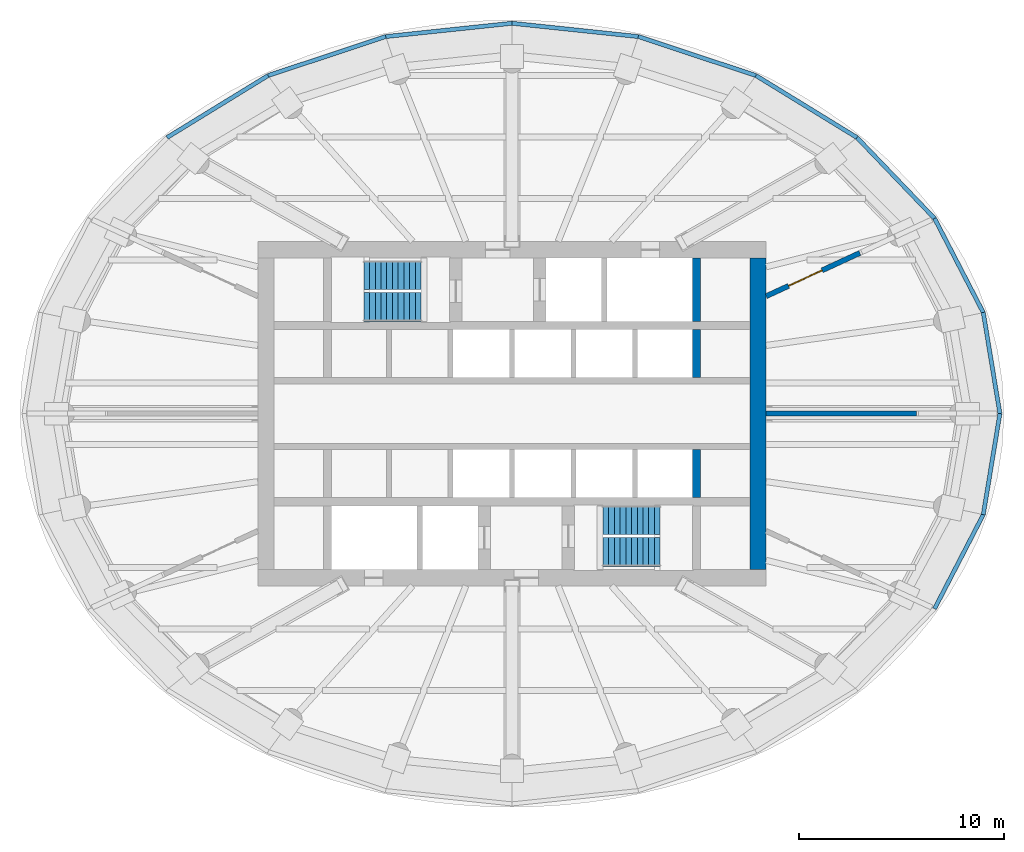
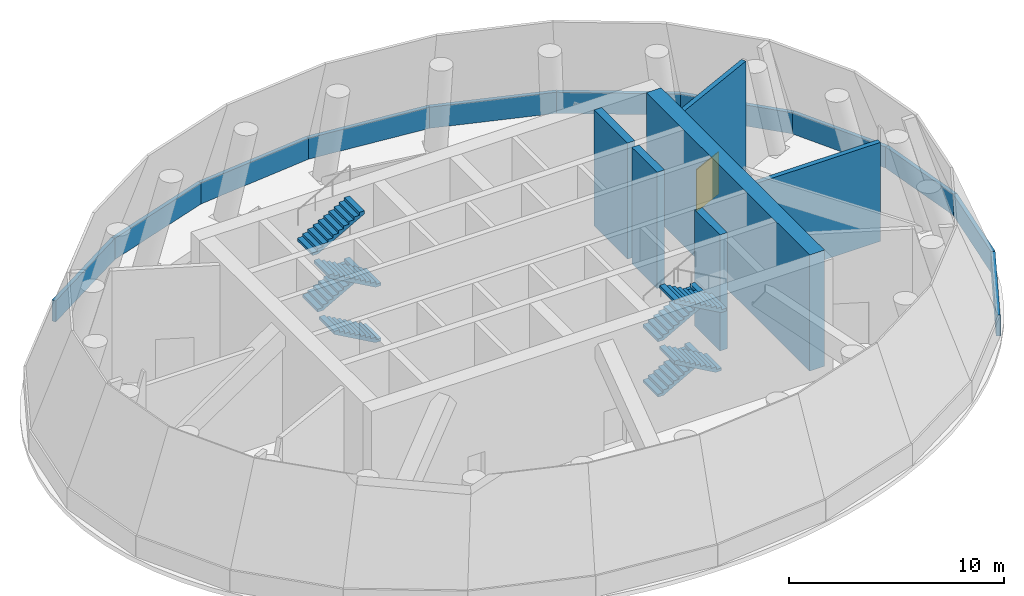
# One storey, part 5 of 6: 17 walls, 8 stair flights, 1 door, 1 opening, 2 elements without a shape of their own.
"""IFC4 building model written with IfcOpenShell, lengths in metres."""

from ifc_helpers import new_model, si_unit, direction, frame, frame_2d, origin, place, context, subcontext, project, spatial, polyline, rectangle, outline, extrude, material, layer, layer_set, type_object, element, fill, aggregate, save


model = new_model("IFC4")

# Units and contexts
model_context = context("Model", 3, precision=1e-05, world=origin(), true_north=direction((0.0, 1.0)))
body_context = subcontext(model_context, "Body", "Model", "MODEL_VIEW")
ifc_project = project(units=[si_unit("LENGTHUNIT", "METRE"), si_unit("AREAUNIT", "SQUARE_METRE"), si_unit("VOLUMEUNIT", "CUBIC_METRE"), si_unit("PLANEANGLEUNIT", "RADIAN"), si_unit("MASSUNIT", "GRAM", prefix="KILO")], contexts=[model_context])

# Site, building, storey
site_placement = place(None, origin())
site = spatial("IfcSite", under=ifc_project, at=site_placement, CompositionType="ELEMENT")
building_placement = place(site_placement, origin())
building = spatial("IfcBuilding", under=site, at=building_placement, Name="Hankou Lantern Tower", CompositionType="ELEMENT")
storey_placement = place(building_placement, frame((0.0, 0.0, 186.300048828125)))
storey = spatial("IfcBuildingStorey", under=building, at=storey_placement, Name="L50", CompositionType="ELEMENT", Elevation=186.300048828125)

# Walls
ifc_material_1 = material(Name="Concrete C60", Category="concrete")
ifc_layer_1 = layer(ifc_material_1, 0.800048828125)
ifc_layer_set_1 = layer_set([ifc_layer_1], Name="Concrete C60")
wall_type_1 = type_object("IfcWallType", Name="CW2 CORE WALL 800", PredefinedType="SHEAR", material=ifc_layer_set_1)
wall_1_placement = place(storey_placement, frame((12.0, -7.60009765625, 0.0), z_axis=(0.0, 0.0, 1.0), x_axis=(0.0, 1.0, 0.0)))
element("IfcWall", 1, at=wall_1_placement, inside=storey, type_object=wall_type_1, Name="Core wall east L50", PredefinedType="SHEAR", context=body_context, shape_type="SweptSolid", body=[
    extrude(rectangle(XDim=15.2001953125, YDim=0.800048828125, at=frame_2d((7.60009765625, 0.0))), origin(), (0.0, 0.0, 1.0), 6.599853515625),
])
ifc_material_2 = material(Name="Concrete C60", Category="concrete")
ifc_layer_2 = layer(ifc_material_2, 0.39990234375)
ifc_layer_set_2 = layer_set([ifc_layer_2], Name="Concrete C60")
wall_type_2 = type_object("IfcWallType", Name="CW4 CORE CROSS WALL 400", PredefinedType="SHEAR", material=ifc_layer_set_2)
wall_2_placement = place(storey_placement, frame((9.0, 4.5, 0.0), z_axis=(0.0, 0.0, 1.0), x_axis=(0.0, 1.0, 0.0)))
element("IfcWall", 2, at=wall_2_placement, inside=storey, type_object=wall_type_2, Name="Core strip wall L50", PredefinedType="SHEAR", context=body_context, shape_type="SweptSolid", body=[
    extrude(rectangle(XDim=3.10009765625, YDim=0.39990234375, at=frame_2d((1.550048828125, 0.0))), origin(), (0.0, 0.0, 1.0), 6.599853515625),
])
for number, where, z_axis, x_axis, name in (
    (3, (9.0, 1.75, 0.0), (0.0, 0.0, 1.0), (0.0, 1.0, 0.0), "Core strip wall L50"),
    (4, (9.0, -4.10009765625, 0.0), (0.0, 0.0, 1.0), (0.0, 1.0, 0.0), "Core strip wall L50"),
):
    element("IfcWall", number, at=place(storey_placement, frame(where, z_axis=z_axis, x_axis=x_axis)), inside=storey, type_object=wall_type_2, Name=name, PredefinedType="SHEAR", context=body_context, shape_type="SweptSolid", body=[
        extrude(rectangle(XDim=2.35009765625, YDim=0.39990234375, at=frame_2d((1.175048828125, 0.0))), origin(), (0.0, 0.0, 1.0), 6.599853515625),
    ])
ifc_material_3 = material(Name="Precast concrete C40 spandrel", Category="concrete")
ifc_layer_3 = layer(ifc_material_3, 0.199951171875)
ifc_layer_set_3 = layer_set([ifc_layer_3], Name="Precast concrete C40 spandrel")
wall_type_3 = type_object("IfcWallType", Name="EW3 SPANDREL WALL 200", PredefinedType="PARAPET", material=ifc_layer_set_3)
wall_3_placement = place(storey_placement, frame((23.800048828125, 0.0, 0.0), z_axis=(0.0, 0.0, 1.0), x_axis=(-0.162393077001, 0.98672614668, 0.0)))
element("IfcWall", 5, at=wall_3_placement, inside=storey, type_object=wall_type_3, Name="Spandrel wall R01 L50", PredefinedType="PARAPET", context=body_context, shape_type="SweptSolid", body=[
    extrude(rectangle(XDim=4.994384765625, YDim=0.199951171875, at=frame_2d((2.4970703125, 0.0))), origin(), (0.0, 0.0, 1.0), 1.199951171875),
])
wall_4_placement = place(storey_placement, frame((22.989013671875, 4.927978515625, 0.0), z_axis=(0.0, 0.0, 1.0), x_axis=(-0.459803057425, 0.888020916636, 0.0)))
element("IfcWall", 6, at=wall_4_placement, inside=storey, type_object=wall_type_3, Name="Spandrel wall R02 L50", PredefinedType="PARAPET", context=body_context, shape_type="SweptSolid", body=[
    extrude(rectangle(XDim=5.171142578125, YDim=0.199951171875, at=frame_2d((2.58544921875, 0.0))), origin(), (0.0, 0.0, 1.0), 1.199951171875),
])
wall_5_placement = place(storey_placement, frame((20.611328125, 9.52001953125, 0.0), z_axis=(0.0, 0.0, 1.0), x_axis=(-0.692208086263, 0.721697973749, 0.0)))
element("IfcWall", 7, at=wall_5_placement, inside=storey, type_object=wall_type_3, Name="Spandrel wall R03 L50", PredefinedType="PARAPET", context=body_context, shape_type="SweptSolid", body=[
    extrude(rectangle(XDim=5.464111328125, YDim=0.199951171875, at=frame_2d((2.73193359375, 0.0))), origin(), (0.0, 0.0, 1.0), 1.199951171875),
])
wall_6_placement = place(storey_placement, frame((16.8291015625, 13.46337890625, 0.0), z_axis=(0.0, 0.0, 1.0), x_axis=(-0.852253440193, 0.523129117598, 0.0)))
element("IfcWall", 8, at=wall_6_placement, inside=storey, type_object=wall_type_3, Name="Spandrel wall R04 L50", PredefinedType="PARAPET", context=body_context, shape_type="SweptSolid", body=[
    extrude(rectangle(XDim=5.78369140625, YDim=0.199951171875, at=frame_2d((2.891845703125, 0.0))), origin(), (0.0, 0.0, 1.0), 1.199951171875),
])
wall_7_placement = place(storey_placement, frame((11.89990234375, 16.489013671875, 0.0), z_axis=(0.0, 0.0, 1.0), x_axis=(-0.949238990188, 0.314555781232, 0.0)))
element("IfcWall", 9, at=wall_7_placement, inside=storey, type_object=wall_type_3, Name="Spandrel wall R05 L50", PredefinedType="PARAPET", context=body_context, shape_type="SweptSolid", body=[
    extrude(rectangle(XDim=6.046875, YDim=0.199951171875, at=frame_2d((3.0234375, 0.0))), origin(), (0.0, 0.0, 1.0), 1.199951171875),
])
for number, where, z_axis, x_axis, name in (
    (10, (6.159912109375, 18.39111328125, 0.0), (0.0, 0.0, 1.0), (-0.994496810484, 0.104766855149, 0.0), "Spandrel wall R06 L50"),
    (11, (0.0, 19.0400390625, 0.0), (0.0, 0.0, 1.0), (-0.994496810484, -0.104766855149, 0.0), "Spandrel wall R07 L50"),
):
    element("IfcWall", number, at=place(storey_placement, frame(where, z_axis=z_axis, x_axis=x_axis)), inside=storey, type_object=wall_type_3, Name=name, PredefinedType="PARAPET", context=body_context, shape_type="SweptSolid", body=[
        extrude(rectangle(XDim=6.194091796875, YDim=0.199951171875, at=frame_2d((3.09716796875, 0.0))), origin(), (0.0, 0.0, 1.0), 1.199951171875),
    ])
wall_8_placement = place(storey_placement, frame((-6.159912109375, 18.39111328125, 0.0), z_axis=(0.0, 0.0, 1.0), x_axis=(-0.949238990188, -0.314555781232, 0.0)))
element("IfcWall", 12, at=wall_8_placement, inside=storey, type_object=wall_type_3, Name="Spandrel wall R08 L50", PredefinedType="PARAPET", context=body_context, shape_type="SweptSolid", body=[
    extrude(rectangle(XDim=6.046875, YDim=0.199951171875, at=frame_2d((3.0234375, 0.0))), origin(), (0.0, 0.0, 1.0), 1.199951171875),
])
wall_9_placement = place(storey_placement, frame((-11.89990234375, 16.489013671875, 0.0), z_axis=(0.0, 0.0, 1.0), x_axis=(-0.852253440193, -0.523129117598, 0.0)))
element("IfcWall", 13, at=wall_9_placement, inside=storey, type_object=wall_type_3, Name="Spandrel wall R09 L50", PredefinedType="PARAPET", context=body_context, shape_type="SweptSolid", body=[
    extrude(rectangle(XDim=5.78369140625, YDim=0.199951171875, at=frame_2d((2.891845703125, 0.0))), origin(), (0.0, 0.0, 1.0), 1.199951171875),
])
wall_10_placement = place(storey_placement, frame((20.611328125, -9.52001953125, 0.0), z_axis=(0.0, 0.0, 1.0), x_axis=(0.459803057425, 0.888020916636, 0.0)))
element("IfcWall", 14, at=wall_10_placement, inside=storey, type_object=wall_type_3, Name="Spandrel wall R23 L50", PredefinedType="PARAPET", context=body_context, shape_type="SweptSolid", body=[
    extrude(rectangle(XDim=5.171142578125, YDim=0.199951171875, at=frame_2d((2.58544921875, 0.0))), origin(), (0.0, 0.0, 1.0), 1.199951171875),
])
wall_11_placement = place(storey_placement, frame((22.989013671875, -4.927978515625, 0.0), z_axis=(0.0, 0.0, 1.0), x_axis=(0.162393077001, 0.98672614668, 0.0)))
element("IfcWall", 15, at=wall_11_placement, inside=storey, type_object=wall_type_3, Name="Spandrel wall R24 L50", PredefinedType="PARAPET", context=body_context, shape_type="SweptSolid", body=[
    extrude(rectangle(XDim=4.994384765625, YDim=0.199951171875, at=frame_2d((2.4970703125, 0.0))), origin(), (0.0, 0.0, 1.0), 1.199951171875),
])

# Wall, opening, door
ifc_material_4 = material(Name="Masonry dense concrete block", Category="masonry")
ifc_layer_4 = layer(ifc_material_4, 0.25)
ifc_layer_set_4 = layer_set([ifc_layer_4], Name="Masonry dense concrete block")
wall_type_4 = type_object("IfcWallType", Name="IW5 PLANT ROOM FIRE WALL 250", PredefinedType="PARTITIONING", material=ifc_layer_set_4)
wall_12_placement = place(storey_placement, frame((12.39990234375, 5.727294921875, 0.0), z_axis=(0.0, 0.0, 1.0), x_axis=(0.90784433639, 0.41930735849, 0.0)))
wall_12 = element("IfcWall", 16, at=wall_12_placement, inside=storey, type_object=wall_type_4, Name="Plant room fire wall R03", PredefinedType="PARTITIONING", context=body_context, shape_type="SweptSolid", body=[
    extrude(rectangle(XDim=5.032470703125, YDim=0.25, at=frame_2d((2.51611328125, 0.0))), origin(), (0.0, 0.0, 1.0), 6.419921875),
])
opening_placement = place(wall_12_placement, frame((1.199951171875, 0.0, 0.0)))
opening = element("IfcOpeningElement", 17, at=opening_placement, cuts=wall_12, Name="Opening D9", PredefinedType="OPENING", context=body_context, shape_type="SweptSolid", body=[
    extrude(rectangle(XDim=1.800048828125, YDim=2.39990234375, at=frame_2d((0.89990234375, 1.199951171875))), frame((0.0, 0.135009765625, 0.0), z_axis=(0.0, -1.0, 0.0), x_axis=(1.0, 0.0, 0.0)), (0.0, 0.0, 1.0), 0.27001953125),
])
ifc_material_5 = material(Name="Steel door leaf", Category="steel")
door_type = type_object("IfcDoorType", Name="D9 PLANT ROOM DOOR 1800X2400", OperationType="DOUBLE_DOOR_DOUBLE_SWING", PredefinedType="DOOR", material=ifc_material_5)
door_placement = place(opening_placement, origin())
door = element("IfcDoor", 18, at=door_placement, inside=storey, type_object=door_type, Name="Plant room door R03", OperationType="DOUBLE_DOOR_DOUBLE_SWING", OverallHeight=2.39990234375, OverallWidth=1.800048828125, PredefinedType="DOOR", context=body_context, shape_type="SweptSolid", body=[
    extrude(rectangle(XDim=1.800048828125, YDim=2.39990234375, at=frame_2d((0.89990234375, 1.199951171875))), frame((0.0, 0.02490234375, 0.0), z_axis=(0.0, -1.0, 0.0), x_axis=(1.0, 0.0, 0.0)), (0.0, 0.0, 1.0), 0.050048828125),
])
fill(opening, door)

# Wall
wall_13_placement = place(storey_placement, frame((12.39990234375, 0.0, 0.0), z_axis=(0.0, 0.0, 1.0), x_axis=(1.0, 0.0, 0.0)))
element("IfcWall", 19, at=wall_13_placement, inside=storey, type_object=wall_type_4, Name="Plant room partition R01", PredefinedType="PARTITIONING", context=body_context, shape_type="SweptSolid", body=[
    extrude(rectangle(XDim=7.32958984375, YDim=0.25, at=frame_2d((3.664794921875, 0.0))), origin(), (0.0, 0.0, 1.0), 5.619873046875),
])

# Stair, stair flights
ifc_material_6 = material(Name="Concrete C40", Category="concrete")
stair_type = type_object("IfcStairType", Name="ST66 CORE STAIR 6600 RISE", PredefinedType="HALF_TURN_STAIR", material=ifc_material_6)
stair_1_placement = place(storey_placement, origin())
stair_1 = element("IfcStair", 20, at=stair_1_placement, inside=storey, type_object=stair_type, Name="Stair STA L50", PredefinedType="HALF_TURN_STAIR")
ifc_material_7 = material(Name="Concrete C40", Category="concrete")
stair_flight_type_1 = type_object("IfcStairFlightType", Name="CF10 CORE STAIR FLIGHT 1400 X 10 RISERS", PredefinedType="STRAIGHT", material=ifc_material_7)
stair_flight_1_placement = place(storey_placement, frame((-4.429931640625, 5.199951171875, 0.0), z_axis=(0.0, 0.0, 1.0), x_axis=(-1.0, 0.0, 0.0)))
stair_flight_1 = element("IfcStairFlight", 21, at=stair_flight_1_placement, type_object=stair_flight_type_1, Name="STA flight 1", NumberOfRisers=10, NumberOfTreads=9, PredefinedType="STRAIGHT", RiserHeight=0.157142857, TreadLength=0.28, context=body_context, shape_type="SweptSolid", body=[
    extrude(outline(polyline([(0.0, 0.0), (0.0, 0.1572265625), (0.280029296875, 0.1572265625), (0.280029296875, 0.314208984375), (0.56005859375, 0.314208984375), (0.56005859375, 0.471435546875), (0.840087890625, 0.471435546875), (0.840087890625, 0.628662109375), (1.1201171875, 0.628662109375), (1.1201171875, 0.78564453125), (1.39990234375, 0.78564453125), (1.39990234375, 0.94287109375), (1.679931640625, 0.94287109375), (1.679931640625, 1.10009765625), (1.9599609375, 1.10009765625), (1.9599609375, 1.257080078125), (2.239990234375, 1.257080078125), (2.239990234375, 1.414306640625), (2.52001953125, 1.414306640625), (2.52001953125, 1.571533203125), (2.52001953125, 1.242431640625), (0.306396484375, 0.0), (0.0, 0.0)])), frame((0.0, 0.699951171875, 0.0), z_axis=(0.0, -1.0, 0.0), x_axis=(1.0, 0.0, 0.0)), (0.0, 0.0, 1.0), 1.39990234375),
])
stair_flight_2_placement = place(storey_placement, frame((-6.949951171875, 6.75, 1.5712890625), z_axis=(0.0, 0.0, 1.0), x_axis=(1.0, 0.0, 0.0)))
stair_flight_2 = element("IfcStairFlight", 22, at=stair_flight_2_placement, type_object=stair_flight_type_1, Name="STA flight 2", NumberOfRisers=10, NumberOfTreads=9, PredefinedType="STRAIGHT", RiserHeight=0.157142857, TreadLength=0.28, context=body_context, shape_type="SweptSolid", body=[
    extrude(outline(polyline([(0.0, 0.0), (0.0, 0.1572265625), (0.280029296875, 0.1572265625), (0.280029296875, 0.314208984375), (0.56005859375, 0.314208984375), (0.56005859375, 0.471435546875), (0.840087890625, 0.471435546875), (0.840087890625, 0.628662109375), (1.1201171875, 0.628662109375), (1.1201171875, 0.78564453125), (1.39990234375, 0.78564453125), (1.39990234375, 0.94287109375), (1.679931640625, 0.94287109375), (1.679931640625, 1.10009765625), (1.9599609375, 1.10009765625), (1.9599609375, 1.257080078125), (2.239990234375, 1.257080078125), (2.239990234375, 1.414306640625), (2.52001953125, 1.414306640625), (2.52001953125, 1.571533203125), (2.52001953125, 1.242431640625), (0.306396484375, 0.0), (0.0, 0.0)])), frame((0.0, 0.699951171875, 0.0), z_axis=(0.0, -1.0, 0.0), x_axis=(1.0, 0.0, 0.0)), (0.0, 0.0, 1.0), 1.39990234375),
])

stair_2_placement = place(storey_placement, origin())
stair_2 = element("IfcStair", 23, at=stair_2_placement, inside=storey, type_object=stair_type, Name="Stair STB L50", PredefinedType="HALF_TURN_STAIR")
stair_flight_3_placement = place(storey_placement, frame((4.429931640625, -5.199951171875, 0.0), z_axis=(0.0, 0.0, 1.0), x_axis=(1.0, 0.0, 0.0)))
stair_flight_3 = element("IfcStairFlight", 24, at=stair_flight_3_placement, type_object=stair_flight_type_1, Name="STB flight 1", NumberOfRisers=10, NumberOfTreads=9, PredefinedType="STRAIGHT", RiserHeight=0.157142857, TreadLength=0.28, context=body_context, shape_type="SweptSolid", body=[
    extrude(outline(polyline([(0.0, 0.0), (0.0, 0.1572265625), (0.280029296875, 0.1572265625), (0.280029296875, 0.314208984375), (0.56005859375, 0.314208984375), (0.56005859375, 0.471435546875), (0.840087890625, 0.471435546875), (0.840087890625, 0.628662109375), (1.1201171875, 0.628662109375), (1.1201171875, 0.78564453125), (1.39990234375, 0.78564453125), (1.39990234375, 0.94287109375), (1.679931640625, 0.94287109375), (1.679931640625, 1.10009765625), (1.9599609375, 1.10009765625), (1.9599609375, 1.257080078125), (2.239990234375, 1.257080078125), (2.239990234375, 1.414306640625), (2.52001953125, 1.414306640625), (2.52001953125, 1.571533203125), (2.52001953125, 1.242431640625), (0.306396484375, 0.0), (0.0, 0.0)])), frame((0.0, 0.699951171875, 0.0), z_axis=(0.0, -1.0, 0.0), x_axis=(1.0, 0.0, 0.0)), (0.0, 0.0, 1.0), 1.39990234375),
])
stair_flight_4_placement = place(storey_placement, frame((6.949951171875, -6.75, 1.5712890625), z_axis=(0.0, 0.0, 1.0), x_axis=(-1.0, 0.0, 0.0)))
stair_flight_4 = element("IfcStairFlight", 25, at=stair_flight_4_placement, type_object=stair_flight_type_1, Name="STB flight 2", NumberOfRisers=10, NumberOfTreads=9, PredefinedType="STRAIGHT", RiserHeight=0.157142857, TreadLength=0.28, context=body_context, shape_type="SweptSolid", body=[
    extrude(outline(polyline([(0.0, 0.0), (0.0, 0.1572265625), (0.280029296875, 0.1572265625), (0.280029296875, 0.314208984375), (0.56005859375, 0.314208984375), (0.56005859375, 0.471435546875), (0.840087890625, 0.471435546875), (0.840087890625, 0.628662109375), (1.1201171875, 0.628662109375), (1.1201171875, 0.78564453125), (1.39990234375, 0.78564453125), (1.39990234375, 0.94287109375), (1.679931640625, 0.94287109375), (1.679931640625, 1.10009765625), (1.9599609375, 1.10009765625), (1.9599609375, 1.257080078125), (2.239990234375, 1.257080078125), (2.239990234375, 1.414306640625), (2.52001953125, 1.414306640625), (2.52001953125, 1.571533203125), (2.52001953125, 1.242431640625), (0.306396484375, 0.0), (0.0, 0.0)])), frame((0.0, 0.699951171875, 0.0), z_axis=(0.0, -1.0, 0.0), x_axis=(1.0, 0.0, 0.0)), (0.0, 0.0, 1.0), 1.39990234375),
])

# Stair flight
ifc_material_8 = material(Name="Concrete C40", Category="concrete")
stair_flight_type_2 = type_object("IfcStairFlightType", Name="CF11 CORE STAIR FLIGHT 1400 X 11 RISERS", PredefinedType="STRAIGHT", material=ifc_material_8)
stair_flight_5_placement = place(storey_placement, frame((-4.429931640625, 5.199951171875, 3.142822265625), z_axis=(0.0, 0.0, 1.0), x_axis=(-1.0, 0.0, 0.0)))
stair_flight_5 = element("IfcStairFlight", 26, at=stair_flight_5_placement, type_object=stair_flight_type_2, Name="STA flight 3", NumberOfRisers=11, NumberOfTreads=10, PredefinedType="STRAIGHT", RiserHeight=0.157142857, TreadLength=0.28, context=body_context, shape_type="SweptSolid", body=[
    extrude(outline(polyline([(0.0, 0.0), (0.0, 0.1572265625), (0.280029296875, 0.1572265625), (0.280029296875, 0.314208984375), (0.56005859375, 0.314208984375), (0.56005859375, 0.471435546875), (0.840087890625, 0.471435546875), (0.840087890625, 0.628662109375), (1.1201171875, 0.628662109375), (1.1201171875, 0.78564453125), (1.39990234375, 0.78564453125), (1.39990234375, 0.94287109375), (1.679931640625, 0.94287109375), (1.679931640625, 1.10009765625), (1.9599609375, 1.10009765625), (1.9599609375, 1.257080078125), (2.239990234375, 1.257080078125), (2.239990234375, 1.414306640625), (2.52001953125, 1.414306640625), (2.52001953125, 1.571533203125), (2.800048828125, 1.571533203125), (2.800048828125, 1.728515625), (2.800048828125, 1.3994140625), (0.306396484375, 0.0), (0.0, 0.0)])), frame((0.0, 0.699951171875, 0.0), z_axis=(0.0, -1.0, 0.0), x_axis=(1.0, 0.0, 0.0)), (0.0, 0.0, 1.0), 1.39990234375),
])

stair_flight_6_placement = place(storey_placement, frame((-7.22998046875, 6.75, 4.871337890625), z_axis=(0.0, 0.0, 1.0), x_axis=(1.0, 0.0, 0.0)))
stair_flight_6 = element("IfcStairFlight", 27, at=stair_flight_6_placement, type_object=stair_flight_type_2, Name="STA flight 4", NumberOfRisers=11, NumberOfTreads=10, PredefinedType="STRAIGHT", RiserHeight=0.157142857, TreadLength=0.28, context=body_context, shape_type="SweptSolid", body=[
    extrude(outline(polyline([(0.0, 0.0), (0.0, 0.1572265625), (0.280029296875, 0.1572265625), (0.280029296875, 0.314208984375), (0.56005859375, 0.314208984375), (0.56005859375, 0.471435546875), (0.840087890625, 0.471435546875), (0.840087890625, 0.628662109375), (1.1201171875, 0.628662109375), (1.1201171875, 0.78564453125), (1.39990234375, 0.78564453125), (1.39990234375, 0.94287109375), (1.679931640625, 0.94287109375), (1.679931640625, 1.10009765625), (1.9599609375, 1.10009765625), (1.9599609375, 1.257080078125), (2.239990234375, 1.257080078125), (2.239990234375, 1.414306640625), (2.52001953125, 1.414306640625), (2.52001953125, 1.571533203125), (2.800048828125, 1.571533203125), (2.800048828125, 1.728515625), (2.800048828125, 1.3994140625), (0.306396484375, 0.0), (0.0, 0.0)])), frame((0.0, 0.699951171875, 0.0), z_axis=(0.0, -1.0, 0.0), x_axis=(1.0, 0.0, 0.0)), (0.0, 0.0, 1.0), 1.39990234375),
])

aggregate(stair_1, [stair_flight_1, stair_flight_2, stair_flight_5, stair_flight_6])

stair_flight_7_placement = place(storey_placement, frame((4.429931640625, -5.199951171875, 3.142822265625), z_axis=(0.0, 0.0, 1.0), x_axis=(1.0, 0.0, 0.0)))
stair_flight_7 = element("IfcStairFlight", 28, at=stair_flight_7_placement, type_object=stair_flight_type_2, Name="STB flight 3", NumberOfRisers=11, NumberOfTreads=10, PredefinedType="STRAIGHT", RiserHeight=0.157142857, TreadLength=0.28, context=body_context, shape_type="SweptSolid", body=[
    extrude(outline(polyline([(0.0, 0.0), (0.0, 0.1572265625), (0.280029296875, 0.1572265625), (0.280029296875, 0.314208984375), (0.56005859375, 0.314208984375), (0.56005859375, 0.471435546875), (0.840087890625, 0.471435546875), (0.840087890625, 0.628662109375), (1.1201171875, 0.628662109375), (1.1201171875, 0.78564453125), (1.39990234375, 0.78564453125), (1.39990234375, 0.94287109375), (1.679931640625, 0.94287109375), (1.679931640625, 1.10009765625), (1.9599609375, 1.10009765625), (1.9599609375, 1.257080078125), (2.239990234375, 1.257080078125), (2.239990234375, 1.414306640625), (2.52001953125, 1.414306640625), (2.52001953125, 1.571533203125), (2.800048828125, 1.571533203125), (2.800048828125, 1.728515625), (2.800048828125, 1.3994140625), (0.306396484375, 0.0), (0.0, 0.0)])), frame((0.0, 0.699951171875, 0.0), z_axis=(0.0, -1.0, 0.0), x_axis=(1.0, 0.0, 0.0)), (0.0, 0.0, 1.0), 1.39990234375),
])

stair_flight_8_placement = place(storey_placement, frame((7.22998046875, -6.75, 4.871337890625), z_axis=(0.0, 0.0, 1.0), x_axis=(-1.0, 0.0, 0.0)))
stair_flight_8 = element("IfcStairFlight", 29, at=stair_flight_8_placement, type_object=stair_flight_type_2, Name="STB flight 4", NumberOfRisers=11, NumberOfTreads=10, PredefinedType="STRAIGHT", RiserHeight=0.157142857, TreadLength=0.28, context=body_context, shape_type="SweptSolid", body=[
    extrude(outline(polyline([(0.0, 0.0), (0.0, 0.1572265625), (0.280029296875, 0.1572265625), (0.280029296875, 0.314208984375), (0.56005859375, 0.314208984375), (0.56005859375, 0.471435546875), (0.840087890625, 0.471435546875), (0.840087890625, 0.628662109375), (1.1201171875, 0.628662109375), (1.1201171875, 0.78564453125), (1.39990234375, 0.78564453125), (1.39990234375, 0.94287109375), (1.679931640625, 0.94287109375), (1.679931640625, 1.10009765625), (1.9599609375, 1.10009765625), (1.9599609375, 1.257080078125), (2.239990234375, 1.257080078125), (2.239990234375, 1.414306640625), (2.52001953125, 1.414306640625), (2.52001953125, 1.571533203125), (2.800048828125, 1.571533203125), (2.800048828125, 1.728515625), (2.800048828125, 1.3994140625), (0.306396484375, 0.0), (0.0, 0.0)])), frame((0.0, 0.699951171875, 0.0), z_axis=(0.0, -1.0, 0.0), x_axis=(1.0, 0.0, 0.0)), (0.0, 0.0, 1.0), 1.39990234375),
])

aggregate(stair_2, [stair_flight_3, stair_flight_4, stair_flight_7, stair_flight_8])

save(model, "model.ifc")
